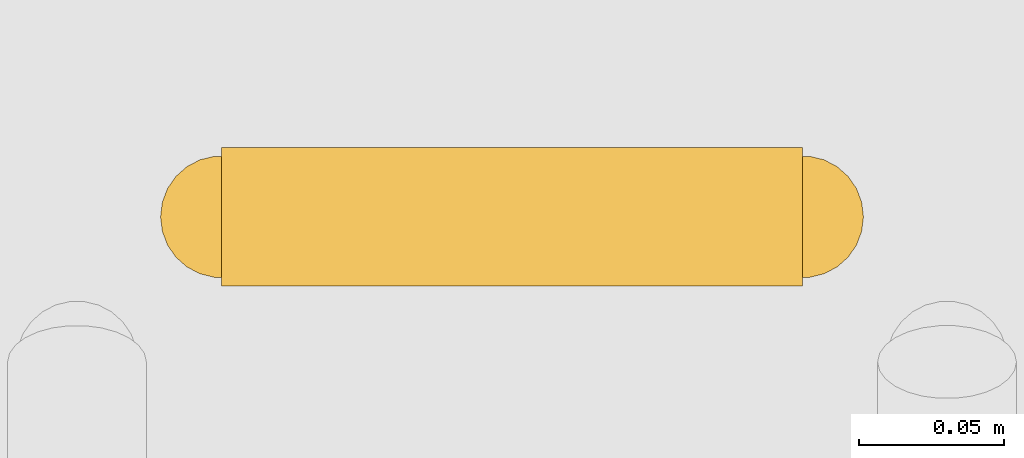
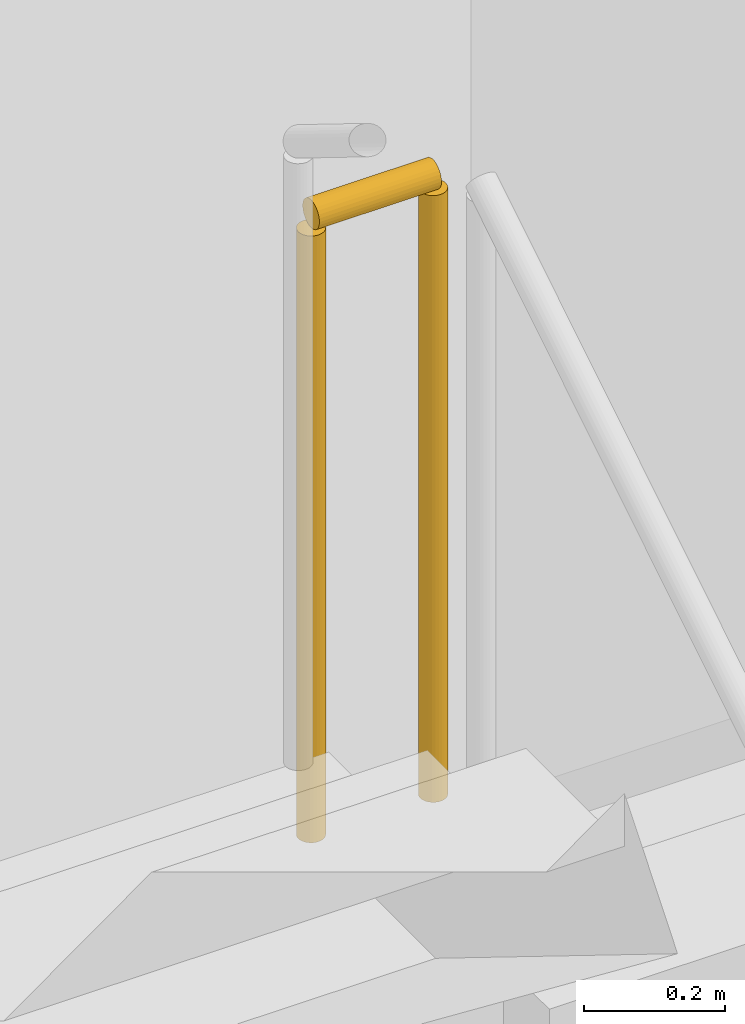
# One storey, part 40 of 41: 1 railing.
"""IFC4 building model written with IfcOpenShell, lengths in metres."""

from ifc_helpers import new_model, si_unit, direction, frame, origin, origin_2d, place, context, subcontext, project, spatial, circle, extrude, material, type_object, element, save


model = new_model("IFC4")

# Units and contexts
model_context = context("Model", 3, precision=1e-05, world=origin(), true_north=direction((0.0, 1.0)))
body_context = subcontext(model_context, "Body", "Model", "MODEL_VIEW")
ifc_project = project(units=[si_unit("LENGTHUNIT", "METRE"), si_unit("AREAUNIT", "SQUARE_METRE"), si_unit("VOLUMEUNIT", "CUBIC_METRE"), si_unit("PLANEANGLEUNIT", "RADIAN"), si_unit("MASSUNIT", "GRAM", prefix="KILO")], contexts=[model_context])

# Site, building, storey
site_placement = place(None, origin())
site = spatial("IfcSite", under=ifc_project, at=site_placement, CompositionType="ELEMENT")
building_placement = place(site_placement, origin())
building = spatial("IfcBuilding", under=site, at=building_placement, Name="Mzevani Central Library", CompositionType="ELEMENT")
storey_placement = place(building_placement, frame((0.0, 0.0, 13.800048828125)))
storey = spatial("IfcBuildingStorey", under=building, at=storey_placement, Name="L03", CompositionType="ELEMENT", Elevation=13.800048828125)

# Railing
ifc_material = material(Name="Brushed stainless steel rail", Category="steel")
railing_type = type_object("IfcRailingType", Name="Interior Gallery and Stair Guard 1100", PredefinedType="BALUSTRADE", material=ifc_material)
railing_placement = place(storey_placement, frame((88.60009765625, 110.110107421875, 2.25)))
element("IfcRailing", 1, at=railing_placement, inside=storey, type_object=railing_type, Name="L03 ST-06 stair guard 2", PredefinedType="BALUSTRADE", context=body_context, shape_type="SweptSolid", body=[
    extrude(circle(Radius=0.02392578125, at=origin_2d()), frame((0.0, 0.0, 1.076171875), z_axis=(-1.0, 0.0, 0.0), x_axis=(0.0, -1.0, 0.0)), (0.0, 0.0, 1.0), 0.2001953125),
    extrude(circle(Radius=0.02099609375, at=origin_2d()), origin(), (0.0, 0.0, 1.0), 1.052001953125),
    extrude(circle(Radius=0.02099609375, at=origin_2d()), frame((-0.2001953125, 0.0, 0.0)), (0.0, 0.0, 1.0), 1.052001953125),
])

save(model, "model.ifc")
